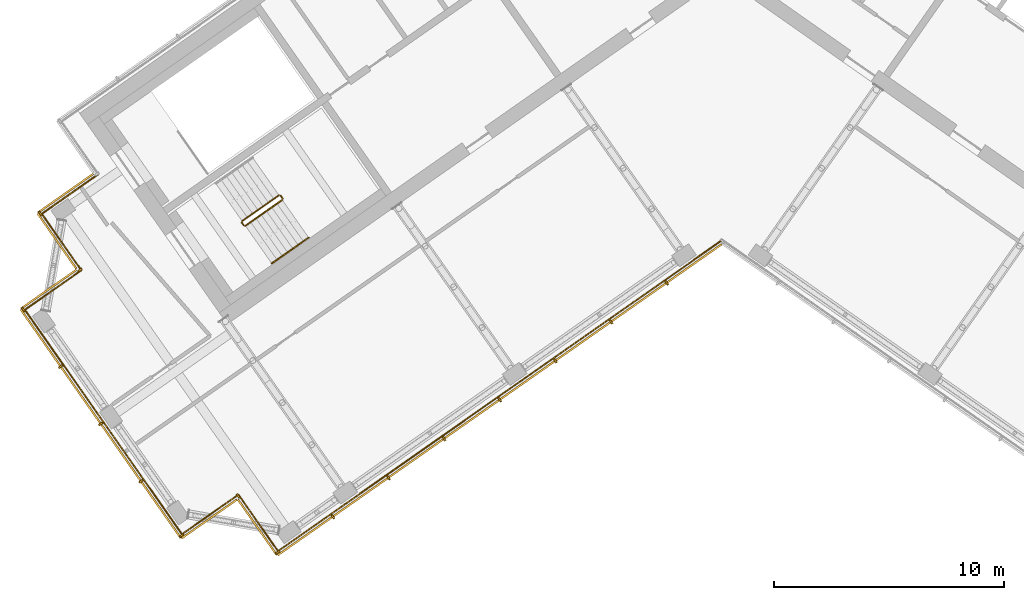
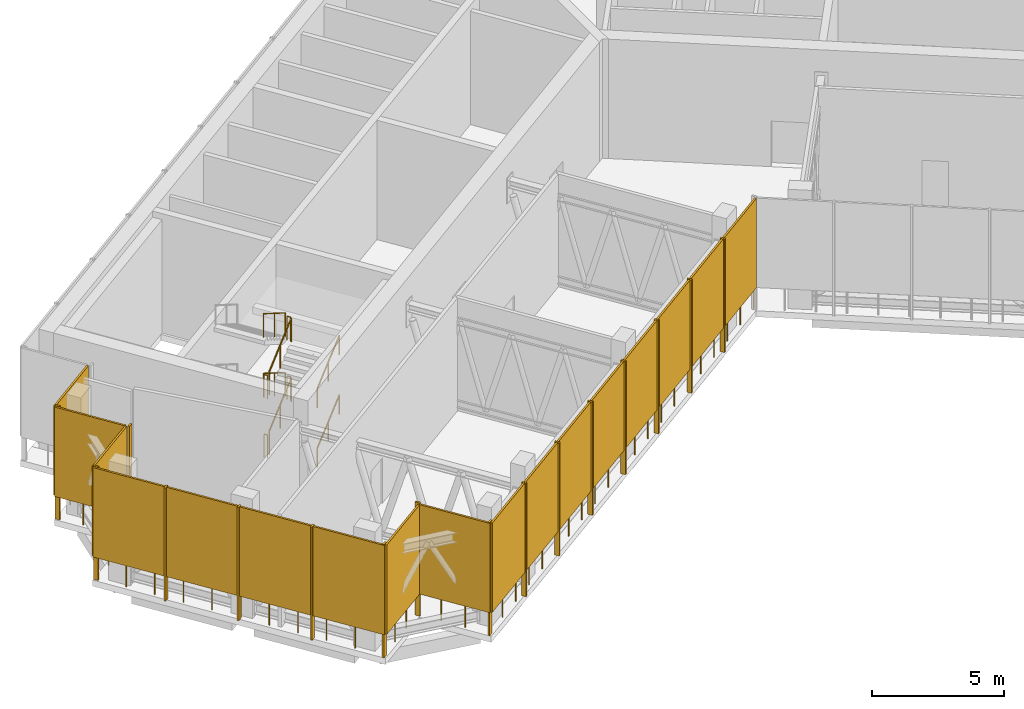
# One storey, part 12 of 16: 33 shading devices, 17 railings.
"""IFC4 building model written with IfcOpenShell, lengths in metres."""

from ifc_helpers import new_model, si_unit, direction, frame, origin, origin_2d, place, context, subcontext, project, spatial, rectangle, circle, extrude, material, layer, layer_set, type_object, element, save


model = new_model("IFC4")

# Units and contexts
model_context = context("Model", 3, precision=1e-05, world=origin(), true_north=direction((0.0, 1.0)))
body_context = subcontext(model_context, "Body", "Model", "MODEL_VIEW")
ifc_project = project(units=[si_unit("LENGTHUNIT", "METRE"), si_unit("AREAUNIT", "SQUARE_METRE"), si_unit("VOLUMEUNIT", "CUBIC_METRE"), si_unit("PLANEANGLEUNIT", "RADIAN"), si_unit("MASSUNIT", "GRAM", prefix="KILO")], contexts=[model_context])

# Site, building, storey
site_placement = place(None, origin())
site = spatial("IfcSite", under=ifc_project, at=site_placement, CompositionType="ELEMENT")
building_placement = place(site_placement, origin())
building = spatial("IfcBuilding", under=site, at=building_placement, Name="Tel Ilan Convention Tower", CompositionType="ELEMENT")
storey_placement = place(building_placement, frame((0.0, 0.0, 313.300048828125)))
storey = spatial("IfcBuildingStorey", under=building, at=storey_placement, Name="L74", CompositionType="ELEMENT", Elevation=313.300048828125)

# Shading devices
ifc_material_1 = material(Name="Perforated aluminium sheet, bronze anodised", Category="aluminium")
ifc_layer_1 = layer(ifc_material_1, 0.080078125)
ifc_layer_set_1 = layer_set([ifc_layer_1], Name="PERFORATED SCREEN 80")
shading_device_type_1 = type_object("IfcShadingDeviceType", Name="PERFORATED SCREEN 80", PredefinedType="USERDEFINED", material=ifc_layer_set_1)
for number, where, z_axis, x_axis, name in (
    (1, (-18.160400390625, -25.5341796875, 1.099853515625), (0.0, 0.0, 1.0), (0.819152044289, 0.573576436351, 0.0), "SCREEN"),
    (2, (-15.739013671875, -23.8388671875, 1.099853515625), (0.0, 0.0, 1.0), (0.819152044289, 0.573576436351, 0.0), "SCREEN"),
    (3, (-13.317626953125, -22.143310546875, 1.099853515625), (0.0, 0.0, 1.0), (0.819152044289, 0.573576436351, 0.0), "SCREEN"),
    (4, (-10.896240234375, -20.44775390625, 1.099853515625), (0.0, 0.0, 1.0), (0.819152044289, 0.573576436351, 0.0), "SCREEN"),
    (5, (-8.474853515625, -18.752197265625, 1.099853515625), (0.0, 0.0, 1.0), (0.819152044289, 0.573576436351, 0.0), "SCREEN"),
    (6, (-6.053466796875, -17.056884765625, 1.099853515625), (0.0, 0.0, 1.0), (0.819152044289, 0.573576436351, 0.0), "SCREEN"),
    (7, (-3.632080078125, -15.361328125, 1.099853515625), (0.0, 0.0, 1.0), (0.819152044289, 0.573576436351, 0.0), "SCREEN"),
    (8, (-1.210693359375, -13.665771484375, 1.099853515625), (0.0, 0.0, 1.0), (0.819152044289, 0.573576436351, 0.0), "SCREEN"),
):
    element("IfcShadingDevice", number, at=place(storey_placement, frame(where, z_axis=z_axis, x_axis=x_axis)), inside=storey, type_object=shading_device_type_1, Name=name, ObjectType="SCREEN", PredefinedType="USERDEFINED", context=body_context, shape_type="SweptSolid", body=[
        extrude(rectangle(XDim=2.89599609375, YDim=0.080078125, at=origin_2d()), origin(), (0.0, 0.0, 1.0), 4.1201171875),
    ])
for number, where, z_axis, x_axis, name in (
    (9, (-28.58154296875, -10.613037109375, 1.099853515625), (0.0, 0.0, 1.0), (-0.819152044289, -0.573576436351, 0.0), "SCREEN"),
    (10, (-28.949951171875, -12.7021484375, 1.099853515625), (0.0, 0.0, 1.0), (0.573576436351, -0.819152044289, 0.0), "SCREEN"),
    (11, (-29.318359375, -14.791259765625, 1.099853515625), (0.0, 0.0, 1.0), (-0.819152044289, -0.573576436351, 0.0), "SCREEN"),
):
    element("IfcShadingDevice", number, at=place(storey_placement, frame(where, z_axis=z_axis, x_axis=x_axis)), inside=storey, type_object=shading_device_type_1, Name=name, ObjectType="SCREEN", PredefinedType="USERDEFINED", context=body_context, shape_type="SweptSolid", body=[
        extrude(rectangle(XDim=2.93994140625, YDim=0.080078125, at=origin_2d()), origin(), (0.0, 0.0, 1.0), 4.1201171875),
    ])
for number, where, z_axis, x_axis, name in (
    (12, (-29.67236328125, -16.90087890625, 1.099853515625), (0.0, 0.0, 1.0), (0.573576436351, -0.819152044289, 0.0), "SCREEN"),
    (13, (-27.9228515625, -19.399169921875, 1.099853515625), (0.0, 0.0, 1.0), (0.573576436351, -0.819152044289, 0.0), "SCREEN"),
    (14, (-26.17333984375, -21.897705078125, 1.099853515625), (0.0, 0.0, 1.0), (0.573576436351, -0.819152044289, 0.0), "SCREEN"),
    (15, (-24.424072265625, -24.39599609375, 1.099853515625), (0.0, 0.0, 1.0), (0.573576436351, -0.819152044289, 0.0), "SCREEN"),
):
    element("IfcShadingDevice", number, at=place(storey_placement, frame(where, z_axis=z_axis, x_axis=x_axis)), inside=storey, type_object=shading_device_type_1, Name=name, ObjectType="SCREEN", PredefinedType="USERDEFINED", context=body_context, shape_type="SweptSolid", body=[
        extrude(rectangle(XDim=2.989990234375, YDim=0.080078125, at=origin_2d()), origin(), (0.0, 0.0, 1.0), 4.1201171875),
    ])
for number, where, z_axis, x_axis, name in (
    (16, (-22.320556640625, -24.784912109375, 1.099853515625), (0.0, 0.0, 1.0), (0.819152044289, 0.573576436351, 0.0), "SCREEN"),
    (17, (-20.2314453125, -25.1533203125, 1.099853515625), (0.0, 0.0, 1.0), (0.573576436351, -0.819152044289, 0.0), "SCREEN"),
):
    element("IfcShadingDevice", number, at=place(storey_placement, frame(where, z_axis=z_axis, x_axis=x_axis)), inside=storey, type_object=shading_device_type_1, Name=name, ObjectType="SCREEN", PredefinedType="USERDEFINED", context=body_context, shape_type="SweptSolid", body=[
        extrude(rectangle(XDim=2.93994140625, YDim=0.080078125, at=origin_2d()), origin(), (0.0, 0.0, 1.0), 4.1201171875),
    ])

# Railings
ifc_material_2 = material(Name="Stainless steel S316", Category="steel")
railing_type_1 = type_object("IfcRailingType", Name="REFUGE EDGE GUARD 1100", PredefinedType="GUARDRAIL", material=ifc_material_2)
railing_1_placement = place(storey_placement, frame((-19.3369140625, -26.18701171875, 0.0)))
element("IfcRailing", 18, at=railing_1_placement, inside=storey, type_object=railing_type_1, Name="Refuge edge guard 56.R01", PredefinedType="GUARDRAIL", context=body_context, shape_type="SweptSolid", body=[
    extrude(circle(Radius=0.02490234375, at=origin_2d()), frame((0.0, 0.0, 1.0751953125), z_axis=(-0.573560650686, 0.819163097304, 0.0), x_axis=(-0.819163097304, -0.573560650686, 0.0)), (0.0, 0.0, 1.0), 3.0),
    extrude(circle(Radius=0.02490234375, at=origin_2d()), origin(), (0.0, 0.0, 1.0), 1.050048828125),
    extrude(circle(Radius=0.02490234375, at=origin_2d()), frame((-0.573486328125, 0.819091796875, 0.0)), (0.0, 0.0, 1.0), 1.050048828125),
    extrude(circle(Radius=0.02490234375, at=origin_2d()), frame((-1.147216796875, 1.638427734375, 0.0)), (0.0, 0.0, 1.0), 1.050048828125),
    extrude(circle(Radius=0.02490234375, at=origin_2d()), frame((-1.720703125, 2.45751953125, 0.0)), (0.0, 0.0, 1.0), 1.050048828125),
])
railing_2_placement = place(storey_placement, frame((-21.0576171875, -23.7294921875, 0.0)))
element("IfcRailing", 19, at=railing_2_placement, inside=storey, type_object=railing_type_1, Name="Refuge edge guard 56.R02", PredefinedType="GUARDRAIL", context=body_context, shape_type="SweptSolid", body=[
    extrude(circle(Radius=0.02490234375, at=origin_2d()), frame((0.0, 0.0, 1.0751953125), z_axis=(-0.819136323161, -0.573598887793, 0.0), x_axis=(0.573598887793, -0.819136323161, 0.0)), (0.0, 0.0, 1.0), 2.999755859375),
    extrude(circle(Radius=0.02490234375, at=origin_2d()), origin(), (0.0, 0.0, 1.0), 1.050048828125),
    extrude(circle(Radius=0.02490234375, at=origin_2d()), frame((-0.819091796875, -0.573486328125, 0.0)), (0.0, 0.0, 1.0), 1.050048828125),
    extrude(circle(Radius=0.02490234375, at=origin_2d()), frame((-1.63818359375, -1.147216796875, 0.0)), (0.0, 0.0, 1.0), 1.050048828125),
    extrude(circle(Radius=0.02490234375, at=origin_2d()), frame((-2.457275390625, -1.720703125, 0.0)), (0.0, 0.0, 1.0), 1.050048828125),
])
railing_3_placement = place(storey_placement, frame((-23.514892578125, -25.4501953125, 0.0)))
element("IfcRailing", 20, at=railing_3_placement, inside=storey, type_object=railing_type_1, Name="Refuge edge guard 56.R03", PredefinedType="GUARDRAIL", context=body_context, shape_type="SweptSolid", body=[
    extrude(circle(Radius=0.02490234375, at=origin_2d()), frame((0.0, 0.0, 1.0751953125), z_axis=(-0.573588801452, 0.819143386013, 0.0), x_axis=(-0.819143386013, -0.573588801452, 0.0)), (0.0, 0.0, 1.0), 11.919921875),
    extrude(circle(Radius=0.02490234375, at=origin_2d()), origin(), (0.0, 0.0, 1.0), 1.050048828125),
    extrude(circle(Radius=0.02490234375, at=origin_2d()), frame((-0.68359375, 0.976318359375, 0.0)), (0.0, 0.0, 1.0), 1.050048828125),
    extrude(circle(Radius=0.02490234375, at=origin_2d()), frame((-1.367431640625, 1.952880859375, 0.0)), (0.0, 0.0, 1.0), 1.050048828125),
    extrude(circle(Radius=0.02490234375, at=origin_2d()), frame((-2.05126953125, 2.92919921875, 0.0)), (0.0, 0.0, 1.0), 1.050048828125),
    extrude(circle(Radius=0.02490234375, at=origin_2d()), frame((-2.73486328125, 3.90576171875, 0.0)), (0.0, 0.0, 1.0), 1.050048828125),
    extrude(circle(Radius=0.02490234375, at=origin_2d()), frame((-3.41845703125, 4.882080078125, 0.0)), (0.0, 0.0, 1.0), 1.050048828125),
    extrude(circle(Radius=0.02490234375, at=origin_2d()), frame((-4.102294921875, 5.8583984375, 0.0)), (0.0, 0.0, 1.0), 1.050048828125),
    extrude(circle(Radius=0.02490234375, at=origin_2d()), frame((-4.7861328125, 6.8349609375, 0.0)), (0.0, 0.0, 1.0), 1.050048828125),
    extrude(circle(Radius=0.02490234375, at=origin_2d()), frame((-5.4697265625, 7.811279296875, 0.0)), (0.0, 0.0, 1.0), 1.050048828125),
    extrude(circle(Radius=0.02490234375, at=origin_2d()), frame((-6.1533203125, 8.787841796875, 0.0)), (0.0, 0.0, 1.0), 1.050048828125),
    extrude(circle(Radius=0.02490234375, at=origin_2d()), frame((-6.837158203125, 9.76416015625, 0.0)), (0.0, 0.0, 1.0), 1.050048828125),
])
railing_4_placement = place(storey_placement, frame((-30.35205078125, -15.68603515625, 0.0)))
element("IfcRailing", 21, at=railing_4_placement, inside=storey, type_object=railing_type_1, Name="Refuge edge guard 56.R04", PredefinedType="GUARDRAIL", context=body_context, shape_type="SweptSolid", body=[
    extrude(circle(Radius=0.02490234375, at=origin_2d()), frame((0.0, 0.0, 1.0751953125), z_axis=(0.819124862085, 0.573615254604, 0.0), x_axis=(-0.573615254604, 0.819124862085, 0.0)), (0.0, 0.0, 1.0), 3.000244140625),
    extrude(circle(Radius=0.02490234375, at=origin_2d()), origin(), (0.0, 0.0, 1.0), 1.050048828125),
    extrude(circle(Radius=0.02490234375, at=origin_2d()), frame((0.819091796875, 0.57373046875, 0.0)), (0.0, 0.0, 1.0), 1.050048828125),
    extrude(circle(Radius=0.02490234375, at=origin_2d()), frame((1.638427734375, 1.147216796875, 0.0)), (0.0, 0.0, 1.0), 1.050048828125),
    extrude(circle(Radius=0.02490234375, at=origin_2d()), frame((2.45751953125, 1.720947265625, 0.0)), (0.0, 0.0, 1.0), 1.050048828125),
])
railing_5_placement = place(storey_placement, frame((-27.89453125, -13.965087890625, 0.0)))
element("IfcRailing", 22, at=railing_5_placement, inside=storey, type_object=railing_type_1, Name="Refuge edge guard 56.R05", PredefinedType="GUARDRAIL", context=body_context, shape_type="SweptSolid", body=[
    extrude(circle(Radius=0.02490234375, at=origin_2d()), frame((0.0, 0.0, 1.0751953125), z_axis=(-0.573598887793, 0.819136323161, 0.0), x_axis=(-0.819136323161, -0.573598887793, 0.0)), (0.0, 0.0, 1.0), 2.999755859375),
    extrude(circle(Radius=0.02490234375, at=origin_2d()), origin(), (0.0, 0.0, 1.0), 1.050048828125),
    extrude(circle(Radius=0.02490234375, at=origin_2d()), frame((-0.573486328125, 0.819091796875, 0.0)), (0.0, 0.0, 1.0), 1.050048828125),
    extrude(circle(Radius=0.02490234375, at=origin_2d()), frame((-1.147216796875, 1.63818359375, 0.0)), (0.0, 0.0, 1.0), 1.050048828125),
    extrude(circle(Radius=0.02490234375, at=origin_2d()), frame((-1.720703125, 2.457275390625, 0.0)), (0.0, 0.0, 1.0), 1.050048828125),
])
railing_6_placement = place(storey_placement, frame((-29.615234375, -11.5078125, 0.0)))
element("IfcRailing", 23, at=railing_6_placement, inside=storey, type_object=railing_type_1, Name="Refuge edge guard 56.R06", PredefinedType="GUARDRAIL", context=body_context, shape_type="SweptSolid", body=[
    extrude(circle(Radius=0.02490234375, at=origin_2d()), frame((0.0, 0.0, 1.0751953125), z_axis=(0.819163097304, 0.573560650686, 0.0), x_axis=(-0.573560650686, 0.819163097304, 0.0)), (0.0, 0.0, 1.0), 3.0),
    extrude(circle(Radius=0.02490234375, at=origin_2d()), origin(), (0.0, 0.0, 1.0), 1.050048828125),
    extrude(circle(Radius=0.02490234375, at=origin_2d()), frame((0.819091796875, 0.573486328125, 0.0)), (0.0, 0.0, 1.0), 1.050048828125),
    extrude(circle(Radius=0.02490234375, at=origin_2d()), frame((1.638427734375, 1.147216796875, 0.0)), (0.0, 0.0, 1.0), 1.050048828125),
    extrude(circle(Radius=0.02490234375, at=origin_2d()), frame((2.45751953125, 1.720703125, 0.0)), (0.0, 0.0, 1.0), 1.050048828125),
])
railing_7_placement = place(storey_placement, frame((0.0, -12.647216796875, 0.0)))
element("IfcRailing", 24, at=railing_7_placement, inside=storey, type_object=railing_type_1, Name="Refuge edge guard 56.R18", PredefinedType="GUARDRAIL", context=body_context, shape_type="SweptSolid", body=[
    extrude(circle(Radius=0.02490234375, at=origin_2d()), frame((0.0, 0.0, 1.0751953125), z_axis=(-0.819153200103, -0.573574785674, 0.0), x_axis=(0.573574785674, -0.819153200103, 0.0)), (0.0, 0.0, 1.0), 23.60595703125),
    extrude(circle(Radius=0.02490234375, at=origin_2d()), origin(), (0.0, 0.0, 1.0), 1.050048828125),
    extrude(circle(Radius=0.02490234375, at=origin_2d()), frame((-0.966796875, -0.677001953125, 0.0)), (0.0, 0.0, 1.0), 1.050048828125),
    extrude(circle(Radius=0.02490234375, at=origin_2d()), frame((-1.93359375, -1.35400390625, 0.0)), (0.0, 0.0, 1.0), 1.050048828125),
    extrude(circle(Radius=0.02490234375, at=origin_2d()), frame((-2.900634765625, -2.031005859375, 0.0)), (0.0, 0.0, 1.0), 1.050048828125),
    extrude(circle(Radius=0.02490234375, at=origin_2d()), frame((-3.867431640625, -2.7080078125, 0.0)), (0.0, 0.0, 1.0), 1.050048828125),
    extrude(circle(Radius=0.02490234375, at=origin_2d()), frame((-4.834228515625, -3.385009765625, 0.0)), (0.0, 0.0, 1.0), 1.050048828125),
    extrude(circle(Radius=0.02490234375, at=origin_2d()), frame((-5.801025390625, -4.06201171875, 0.0)), (0.0, 0.0, 1.0), 1.050048828125),
    extrude(circle(Radius=0.02490234375, at=origin_2d()), frame((-6.767822265625, -4.739013671875, 0.0)), (0.0, 0.0, 1.0), 1.050048828125),
    extrude(circle(Radius=0.02490234375, at=origin_2d()), frame((-7.73486328125, -5.416015625, 0.0)), (0.0, 0.0, 1.0), 1.050048828125),
    extrude(circle(Radius=0.02490234375, at=origin_2d()), frame((-8.70166015625, -6.093017578125, 0.0)), (0.0, 0.0, 1.0), 1.050048828125),
    extrude(circle(Radius=0.02490234375, at=origin_2d()), frame((-9.66845703125, -6.77001953125, 0.0)), (0.0, 0.0, 1.0), 1.050048828125),
    extrude(circle(Radius=0.02490234375, at=origin_2d()), frame((-10.63525390625, -7.44677734375, 0.0)), (0.0, 0.0, 1.0), 1.050048828125),
    extrude(circle(Radius=0.02490234375, at=origin_2d()), frame((-11.60205078125, -8.123779296875, 0.0)), (0.0, 0.0, 1.0), 1.050048828125),
    extrude(circle(Radius=0.02490234375, at=origin_2d()), frame((-12.569091796875, -8.80078125, 0.0)), (0.0, 0.0, 1.0), 1.050048828125),
    extrude(circle(Radius=0.02490234375, at=origin_2d()), frame((-13.535888671875, -9.477783203125, 0.0)), (0.0, 0.0, 1.0), 1.050048828125),
    extrude(circle(Radius=0.02490234375, at=origin_2d()), frame((-14.502685546875, -10.15478515625, 0.0)), (0.0, 0.0, 1.0), 1.050048828125),
    extrude(circle(Radius=0.02490234375, at=origin_2d()), frame((-15.469482421875, -10.831787109375, 0.0)), (0.0, 0.0, 1.0), 1.050048828125),
    extrude(circle(Radius=0.02490234375, at=origin_2d()), frame((-16.436279296875, -11.5087890625, 0.0)), (0.0, 0.0, 1.0), 1.050048828125),
    extrude(circle(Radius=0.02490234375, at=origin_2d()), frame((-17.4033203125, -12.185791015625, 0.0)), (0.0, 0.0, 1.0), 1.050048828125),
    extrude(circle(Radius=0.02490234375, at=origin_2d()), frame((-18.3701171875, -12.86279296875, 0.0)), (0.0, 0.0, 1.0), 1.050048828125),
    extrude(circle(Radius=0.02490234375, at=origin_2d()), frame((-19.3369140625, -13.539794921875, 0.0)), (0.0, 0.0, 1.0), 1.050048828125),
])

# Shading devices
ifc_material_3 = material(Name="Perforated aluminium sheet, bronze anodised", Category="aluminium")
ifc_layer_2 = layer(ifc_material_3, 0.080078125)
ifc_layer_set_2 = layer_set([ifc_layer_2], Name="SCREEN CORNER CLOSURE 80x200")
shading_device_type_2 = type_object("IfcShadingDeviceType", Name="SCREEN CORNER CLOSURE 80x200", PredefinedType="USERDEFINED", material=ifc_layer_set_2)
for number, where, z_axis, x_axis, name in (
    (25, (-19.3466796875, -26.24267578125, 0.0), (0.0, 0.0, 1.0), (0.573576436351, -0.819152044289, 0.0), "SCREEN"),
    (26, (-29.6708984375, -11.498046875, 0.0), (0.0, 0.0, 1.0), (-0.819152044289, -0.573576436351, 0.0), "SCREEN"),
    (27, (-27.9501953125, -13.955322265625, 0.0), (0.0, 0.0, 1.0), (0.573576436351, -0.819152044289, 0.0), "SCREEN"),
    (28, (-30.40771484375, -15.676025390625, 0.0), (0.0, 0.0, 1.0), (-0.819152044289, -0.573576436351, 0.0), "SCREEN"),
    (29, (-23.52490234375, -25.505859375, 0.0), (0.0, 0.0, 1.0), (0.573576436351, -0.819152044289, 0.0), "SCREEN"),
    (30, (-21.0673828125, -23.78515625, 0.0), (0.0, 0.0, 1.0), (0.819152044289, 0.573576436351, 0.0), "SCREEN"),
):
    element("IfcShadingDevice", number, at=place(storey_placement, frame(where, z_axis=z_axis, x_axis=x_axis)), inside=storey, type_object=shading_device_type_2, Name=name, ObjectType="SCREEN", PredefinedType="USERDEFINED", context=body_context, shape_type="SweptSolid", body=[
        extrude(rectangle(XDim=0.080078125, YDim=0.199951171875, at=origin_2d()), origin(), (0.0, 0.0, 1.0), 5.219970703125),
    ])
ifc_material_4 = material(Name="Aluminium, bronze anodised", Category="aluminium")
ifc_layer_3 = layer(ifc_material_4, 0.080078125)
ifc_layer_set_3 = layer_set([ifc_layer_3], Name="SCREEN POST 80x200")
shading_device_type_3 = type_object("IfcShadingDeviceType", Name="SCREEN POST 80x200", PredefinedType="USERDEFINED", material=ifc_layer_set_3)
for number, where, z_axis, x_axis, name in (
    (31, (-16.94970703125, -24.6865234375, 0.0), (0.0, 0.0, 1.0), (0.819152044289, 0.573576436351, 0.0), "Screen post"),
    (32, (-14.5283203125, -22.990966796875, 0.0), (0.0, 0.0, 1.0), (0.819152044289, 0.573576436351, 0.0), "Screen post"),
    (33, (-12.10693359375, -21.29541015625, 0.0), (0.0, 0.0, 1.0), (0.819152044289, 0.573576436351, 0.0), "Screen post"),
    (34, (-9.685546875, -19.60009765625, 0.0), (0.0, 0.0, 1.0), (0.819152044289, 0.573576436351, 0.0), "Screen post"),
    (35, (-7.26416015625, -17.904541015625, 0.0), (0.0, 0.0, 1.0), (0.819152044289, 0.573576436351, 0.0), "Screen post"),
    (36, (-4.8427734375, -16.208984375, 0.0), (0.0, 0.0, 1.0), (0.819152044289, 0.573576436351, 0.0), "Screen post"),
    (37, (-2.42138671875, -14.513671875, 0.0), (0.0, 0.0, 1.0), (0.819152044289, 0.573576436351, 0.0), "Screen post"),
    (38, (-28.797607421875, -18.14990234375, 0.0), (0.0, 0.0, 1.0), (0.573576436351, -0.819152044289, 0.0), "Screen post"),
    (39, (-27.048095703125, -20.6484375, 0.0), (0.0, 0.0, 1.0), (0.573576436351, -0.819152044289, 0.0), "Screen post"),
    (40, (-25.298828125, -23.146728515625, 0.0), (0.0, 0.0, 1.0), (0.573576436351, -0.819152044289, 0.0), "Screen post"),
):
    element("IfcShadingDevice", number, at=place(storey_placement, frame(where, z_axis=z_axis, x_axis=x_axis)), inside=storey, type_object=shading_device_type_3, Name=name, ObjectType="SCREEN POST", PredefinedType="USERDEFINED", context=body_context, shape_type="SweptSolid", body=[
        extrude(rectangle(XDim=0.080078125, YDim=0.199951171875, at=origin_2d()), origin(), (0.0, 0.0, 1.0), 5.219970703125),
    ])

# Railings
ifc_material_5 = material(Name="Stainless Steel Grade 316", Category="steel")
railing_type_2 = type_object("IfcRailingType", Name="Stainless Steel Stair Guard 1100 mm", PredefinedType="GUARDRAIL", material=ifc_material_5)
railing_8_placement = place(storey_placement, frame((-20.753662109375, -12.029296875, 0.171875)))
element("IfcRailing", 41, at=railing_8_placement, inside=storey, type_object=railing_type_2, Name="L74 S2 stair guard 1", PredefinedType="GUARDRAIL", context=body_context, shape_type="SweptSolid", body=[
    extrude(circle(Radius=0.02392578125, at=origin_2d()), frame((0.0, 0.0, 1.076171875), z_axis=(0.698149155229, 0.488821173762, 0.523107653485), x_axis=(-0.573554290663, 0.819167550421, 0.0)), (0.0, 0.0, 1.0), 2.300048828125),
    extrude(circle(Radius=0.02099609375, at=origin_2d()), origin(), (0.0, 0.0, 1.0), 1.052001953125),
    extrude(circle(Radius=0.02099609375, at=origin_2d()), frame((0.802734375, 0.56201171875, 0.6015625)), (0.0, 0.0, 1.0), 1.052001953125),
    extrude(circle(Radius=0.02099609375, at=origin_2d()), frame((1.605712890625, 1.124267578125, 1.203125)), (0.0, 0.0, 1.0), 1.052001953125),
])
railing_9_placement = place(storey_placement, frame((-19.1357421875, -10.83544921875, 1.375)))
element("IfcRailing", 42, at=railing_9_placement, inside=storey, type_object=railing_type_2, Name="L74 S2 stair guard 2", PredefinedType="GUARDRAIL", context=body_context, shape_type="SweptSolid", body=[
    extrude(circle(Radius=0.02392578125, at=origin_2d()), frame((0.0, 0.0, 1.076171875), z_axis=(-0.572588637393, 0.819842821722, 0.0), x_axis=(-0.819842821722, -0.572588637393, 0.0)), (0.0, 0.0, 1.0), 0.150146484375),
    extrude(circle(Radius=0.02099609375, at=origin_2d()), origin(), (0.0, 0.0, 1.0), 1.052001953125),
    extrude(circle(Radius=0.02099609375, at=origin_2d()), frame((-0.0859375, 0.123046875, 0.0)), (0.0, 0.0, 1.0), 1.052001953125),
])
railing_10_placement = place(storey_placement, frame((-19.29150390625, -10.7001953125, 1.546875)))
element("IfcRailing", 43, at=railing_10_placement, inside=storey, type_object=railing_type_2, Name="L74 S2 stair guard 3", PredefinedType="GUARDRAIL", context=body_context, shape_type="SweptSolid", body=[
    extrude(circle(Radius=0.02392578125, at=origin_2d()), frame((0.0, 0.0, 1.076171875), z_axis=(-0.698094737943, -0.488857400886, 0.523146421621), x_axis=(0.573612813533, -0.819126571508, 0.0)), (0.0, 0.0, 1.0), 2.2998046875),
    extrude(circle(Radius=0.02099609375, at=origin_2d()), origin(), (0.0, 0.0, 1.0), 1.052001953125),
    extrude(circle(Radius=0.02099609375, at=origin_2d()), frame((-0.802734375, -0.56201171875, 0.6015625)), (0.0, 0.0, 1.0), 1.052001953125),
    extrude(circle(Radius=0.02099609375, at=origin_2d()), frame((-1.60546875, -1.124267578125, 1.203125)), (0.0, 0.0, 1.0), 1.052001953125),
])
railing_11_placement = place(storey_placement, frame((-20.8232421875, -12.016845703125, 2.75)))
element("IfcRailing", 44, at=railing_11_placement, inside=storey, type_object=railing_type_2, Name="L74 S2 stair guard 4", PredefinedType="GUARDRAIL", context=body_context, shape_type="SweptSolid", body=[
    extrude(circle(Radius=0.02392578125, at=origin_2d()), frame((0.0, 0.0, 1.076171875), z_axis=(-0.573353020881, 0.819308436089, 0.0), x_axis=(-0.819308436089, -0.573353020881, 0.0)), (0.0, 0.0, 1.0), 0.14990234375),
    extrude(circle(Radius=0.02099609375, at=origin_2d()), origin(), (0.0, 0.0, 1.0), 1.052001953125),
    extrude(circle(Radius=0.02099609375, at=origin_2d()), frame((-0.0859375, 0.122802734375, 0.0)), (0.0, 0.0, 1.0), 1.052001953125),
])
railing_12_placement = place(storey_placement, frame((-20.753662109375, -12.029296875, 2.921875)))
element("IfcRailing", 45, at=railing_12_placement, inside=storey, type_object=railing_type_2, Name="L74 S2 stair guard 5", PredefinedType="GUARDRAIL", context=body_context, shape_type="SweptSolid", body=[
    extrude(circle(Radius=0.02392578125, at=origin_2d()), frame((0.0, 0.0, 1.076171875), z_axis=(0.698149155229, 0.488821173762, 0.523107653485), x_axis=(-0.573554290663, 0.819167550421, 0.0)), (0.0, 0.0, 1.0), 2.300048828125),
    extrude(circle(Radius=0.02099609375, at=origin_2d()), origin(), (0.0, 0.0, 1.0), 1.052001953125),
    extrude(circle(Radius=0.02099609375, at=origin_2d()), frame((0.802734375, 0.56201171875, 0.6015625)), (0.0, 0.0, 1.0), 1.052001953125),
    extrude(circle(Radius=0.02099609375, at=origin_2d()), frame((1.605712890625, 1.124267578125, 1.203125)), (0.0, 0.0, 1.0), 1.052001953125),
])
railing_13_placement = place(storey_placement, frame((-19.1357421875, -10.83544921875, 4.125)))
element("IfcRailing", 46, at=railing_13_placement, inside=storey, type_object=railing_type_2, Name="L74 S2 stair guard 6", PredefinedType="GUARDRAIL", context=body_context, shape_type="SweptSolid", body=[
    extrude(circle(Radius=0.02392578125, at=origin_2d()), frame((0.0, 0.0, 1.076171875), z_axis=(-0.572588637393, 0.819842821722, 0.0), x_axis=(-0.819842821722, -0.572588637393, 0.0)), (0.0, 0.0, 1.0), 0.150146484375),
    extrude(circle(Radius=0.02099609375, at=origin_2d()), origin(), (0.0, 0.0, 1.0), 1.052001953125),
    extrude(circle(Radius=0.02099609375, at=origin_2d()), frame((-0.0859375, 0.123046875, 0.0)), (0.0, 0.0, 1.0), 1.052001953125),
])
railing_14_placement = place(storey_placement, frame((-19.29150390625, -10.7001953125, 4.296875)))
element("IfcRailing", 47, at=railing_14_placement, inside=storey, type_object=railing_type_2, Name="L74 S2 stair guard 7", PredefinedType="GUARDRAIL", context=body_context, shape_type="SweptSolid", body=[
    extrude(circle(Radius=0.02392578125, at=origin_2d()), frame((0.0, 0.0, 1.076171875), z_axis=(-0.698094737943, -0.488857400886, 0.523146421621), x_axis=(0.573612813533, -0.819126571508, 0.0)), (0.0, 0.0, 1.0), 2.2998046875),
    extrude(circle(Radius=0.02099609375, at=origin_2d()), origin(), (0.0, 0.0, 1.0), 1.052001953125),
    extrude(circle(Radius=0.02099609375, at=origin_2d()), frame((-0.802734375, -0.56201171875, 0.6015625)), (0.0, 0.0, 1.0), 1.052001953125),
    extrude(circle(Radius=0.02099609375, at=origin_2d()), frame((-1.60546875, -1.124267578125, 1.203125)), (0.0, 0.0, 1.0), 1.052001953125),
])
railing_15_placement = place(storey_placement, frame((-20.8232421875, -12.016845703125, 0.0)))
element("IfcRailing", 48, at=railing_15_placement, inside=storey, type_object=railing_type_2, Name="L74 S2 stair guard 8", PredefinedType="GUARDRAIL", context=body_context, shape_type="SweptSolid", body=[
    extrude(circle(Radius=0.02392578125, at=origin_2d()), frame((0.0, 0.0, 1.076171875), z_axis=(-0.573353020881, 0.819308436089, 0.0), x_axis=(-0.819308436089, -0.573353020881, 0.0)), (0.0, 0.0, 1.0), 0.14990234375),
    extrude(circle(Radius=0.02099609375, at=origin_2d()), origin(), (0.0, 0.0, 1.0), 1.052001953125),
    extrude(circle(Radius=0.02099609375, at=origin_2d()), frame((-0.0859375, 0.122802734375, 0.0)), (0.0, 0.0, 1.0), 1.052001953125),
])
ifc_material_6 = material(Name="Stainless Steel Grade 316", Category="steel")
railing_type_3 = type_object("IfcRailingType", Name="Stainless Steel Stair Handrail 900 mm", PredefinedType="HANDRAIL", material=ifc_material_6)
for number, where, name in (
    (49, (-19.6064453125, -13.66748046875, 0.171875), "L74 S2 stair handrail 1"),
    (50, (-19.6064453125, -13.66748046875, 2.921875), "L74 S2 stair handrail 3"),
):
    element("IfcRailing", number, at=place(storey_placement, frame(where)), inside=storey, type_object=railing_type_3, Name=name, PredefinedType="HANDRAIL", context=body_context, shape_type="SweptSolid", body=[
        extrude(circle(Radius=0.02392578125, at=origin_2d()), frame((0.0, 0.0, 0.8759765625), z_axis=(0.698094737943, 0.488857400886, 0.523146421621), x_axis=(-0.573612813533, 0.819126571508, 0.0)), (0.0, 0.0, 1.0), 2.2998046875),
        extrude(circle(Radius=0.02099609375, at=origin_2d()), origin(), (0.0, 0.0, 1.0), 0.851806640625),
        extrude(circle(Radius=0.02099609375, at=origin_2d()), frame((0.802734375, 0.56201171875, 0.6015625)), (0.0, 0.0, 1.0), 0.851806640625),
        extrude(circle(Radius=0.02099609375, at=origin_2d()), frame((1.60546875, 1.124267578125, 1.203125)), (0.0, 0.0, 1.0), 0.851806640625),
    ])

save(model, "model.ifc")
